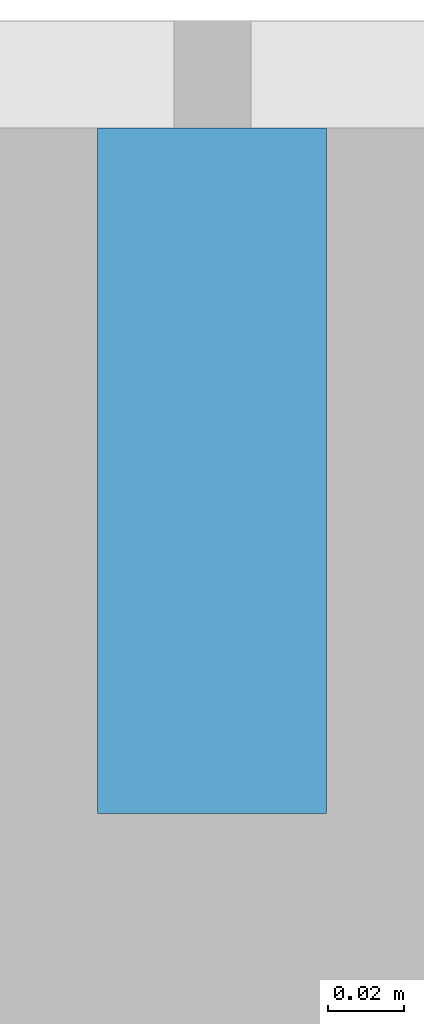
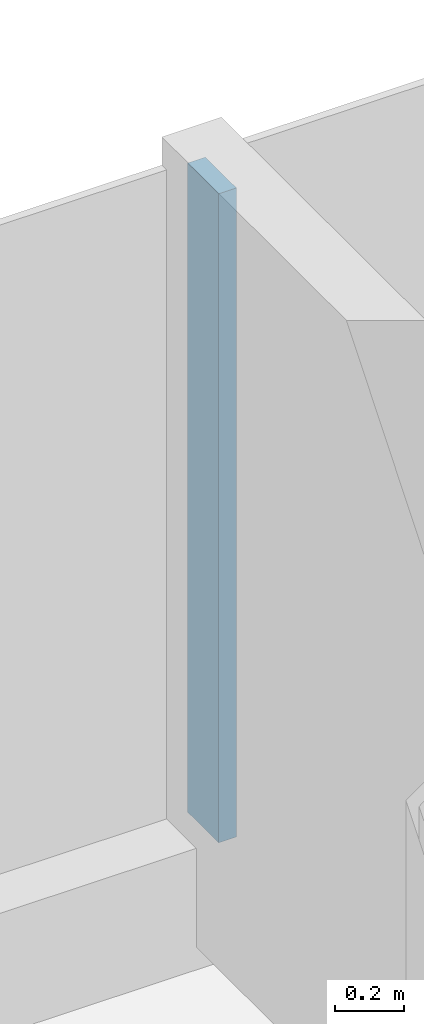
# One storey, part 8 of 26: 1 member, 1 element without a shape of its own.
"""IFC4 building model written with IfcOpenShell, lengths in metres."""

from ifc_helpers import new_model, si_unit, direction, frame, origin, origin_2d, place, context, subcontext, project, spatial, rectangle, extrude, material, layer, layer_set, material_profile, profile_set, type_object, element, aggregate, save


model = new_model("IFC4")

# Units and contexts
model_context = context("Model", 3, precision=1e-05, world=origin(), true_north=direction((0.0, 1.0)))
body_context = subcontext(model_context, "Body", "Model", "MODEL_VIEW")
ifc_project = project(units=[si_unit("LENGTHUNIT", "METRE"), si_unit("AREAUNIT", "SQUARE_METRE"), si_unit("VOLUMEUNIT", "CUBIC_METRE"), si_unit("PLANEANGLEUNIT", "RADIAN"), si_unit("MASSUNIT", "GRAM", prefix="KILO")], contexts=[model_context])

# Site, building, storey
site_placement = place(None, origin())
site = spatial("IfcSite", under=ifc_project, at=site_placement, CompositionType="ELEMENT")
building_placement = place(site_placement, origin())
building = spatial("IfcBuilding", under=site, at=building_placement, Name="Hakoniwa Tower and Hamabe Station Hall", CompositionType="ELEMENT")
storey_placement = place(building_placement, frame((0.0, 0.0, 159.800048828125)))
storey = spatial("IfcBuildingStorey", under=building, at=storey_placement, Name="L45", CompositionType="ELEMENT", Elevation=159.800048828125)

# Curtain wall, member
ifc_material_1 = material(Name="Dark low-e laminated glass", Category="glass")
ifc_layer = layer(ifc_material_1, 0.199951171875)
ifc_layer_set = layer_set([ifc_layer], Name="CW-1 UNITISED GUEST")
curtain_wall_type = type_object("IfcCurtainWallType", Name="CW-1 UNITISED GUEST", PredefinedType="NOTDEFINED", material=ifc_layer_set)
curtain_wall_placement = place(storey_placement, origin())
curtain_wall = element("IfcCurtainWall", 1, at=curtain_wall_placement, inside=storey, type_object=curtain_wall_type, Name="CW-1 curtain wall", PredefinedType="NOTDEFINED")
ifc_material_2 = material(Name="Aluminium 6063-T5 black anodised", Category="aluminium")
ifc_material_profile = material_profile(ifc_material_2, rectangle(XDim=0.06005859375, YDim=0.179931640625, at=origin_2d()), Name="CW-1 MULLION 60X180")
ifc_profile_set = profile_set([ifc_material_profile], Name="Aluminium 6063-T5 black anodised")
member_type = type_object("IfcMemberType", Name="CW-1 MULLION 60X180", PredefinedType="MULLION", material=ifc_profile_set)
member_placement = place(storey_placement, frame((8.39990234375, 18.181884765625, 0.349853515625), z_axis=(0.0, 0.0, 1.0), x_axis=(-1.0, 0.0, 0.0)))
member = element("IfcMember", 2, at=member_placement, type_object=member_type, Name="CW-1 mullion", PredefinedType="MULLION", context=body_context, shape_type="SweptSolid", body=[
    extrude(rectangle(XDim=0.06005859375, YDim=0.179931640625, at=origin_2d()), origin(), (0.0, 0.0, 1.0), 2.300048828125),
])
aggregate(curtain_wall, [member])

save(model, "model.ifc")
